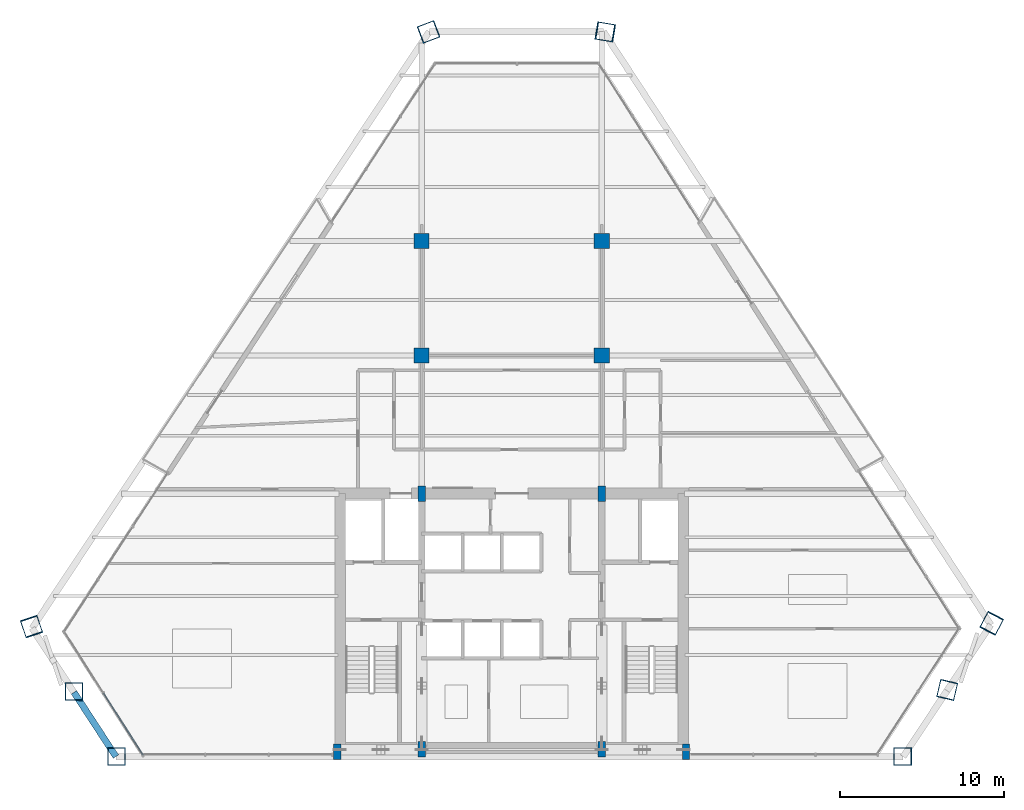
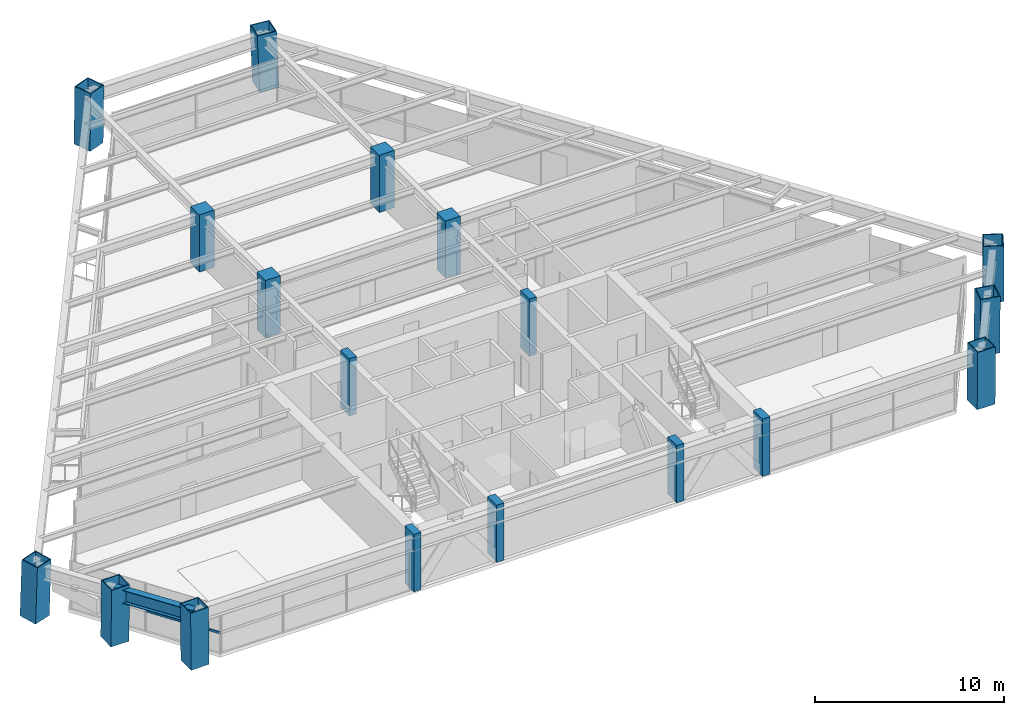
# One storey, part 1 of 15: 18 columns, 1 beam, 1 member, 1 element without a shape of its own.
"""IFC4 building model written with IfcOpenShell, lengths in metres."""

import ifcopenshell
import ifcopenshell.guid

model = None  # the IFC model being written
_history = None  # IfcOwnerHistory: only IFC2X3 demands one
_inside = {}  # id of a spatial element -> (the spatial element, [elements in it])
_under = {}  # id of a project, library or spatial element -> (it, [spatial elements below it])
_declared = {}  # id of a project -> (the project, [libraries it declares])
_typed = {}  # id of a type object -> (the type object, [elements of that type])
_made_of = {}  # id of a material, layer set ... -> (it, [elements and type objects made of it])


def new_model(schema):
    """Start an empty IFC model of exactly this schema.

    Asked for "IFC4X3", IfcOpenShell would pick the latest addendum, in which some entities
    have other attributes; the version numbers below select the first issue.
    IFC2X3 requires an IfcOwnerHistory on every rooted entity: one is made here for all.
    """
    global model, _history
    if schema == "IFC4X3":
        model = ifcopenshell.file(schema_version=(4, 3, 0, 0))
    else:
        model = ifcopenshell.file(schema=schema)
    _inside.clear()
    _under.clear()
    _declared.clear()
    _typed.clear()
    _made_of.clear()
    _history = None
    if model.schema == "IFC2X3":
        org = make("IfcOrganization", Name="unknown")
        user = make(
            "IfcPersonAndOrganization",
            ThePerson=make("IfcPerson", FamilyName="unknown"),
            TheOrganization=org,
        )
        app = make(
            "IfcApplication",
            ApplicationDeveloper=org,
            Version="unknown",
            ApplicationFullName="unknown",
            ApplicationIdentifier="unknown",
        )
        _history = make(
            "IfcOwnerHistory",
            OwningUser=user,
            OwningApplication=app,
            ChangeAction="ADDED",
            CreationDate=0,
        )
    return model


def make(cls, **values):
    """One entity of the class cls with the attributes given. An attribute that is None is left unset."""
    return model.create_entity(
        cls, **{name: value for name, value in values.items() if value is not None}
    )


def rooted(cls, **values):
    """An entity with a GlobalId (a new one), such as an element, a storey or a relation."""
    return make(cls, GlobalId=ifcopenshell.guid.new(), OwnerHistory=_history, **values)


def si_unit(unit_type, name, prefix=None):
    """IfcSIUnit, for example si_unit("LENGTHUNIT", "METRE", prefix="MILLI")."""
    return make("IfcSIUnit", UnitType=unit_type, Prefix=prefix, Name=name)


def assignment(units):
    """IfcUnitAssignment: the units of a project."""
    return None if units is None else make("IfcUnitAssignment", Units=units)


def point(xyz):
    """IfcCartesianPoint."""
    return None if xyz is None else make("IfcCartesianPoint", Coordinates=xyz)


def direction(xyz):
    """IfcDirection."""
    return None if xyz is None else make("IfcDirection", DirectionRatios=xyz)


def frame(location, z_axis=None, x_axis=None):
    """IfcAxis2Placement3D, a coordinate frame: its origin and axes. An axis left out is left unset."""
    return make(
        "IfcAxis2Placement3D",
        Location=point(location),
        Axis=direction(z_axis),
        RefDirection=direction(x_axis),
    )


def frame_2d(location, x_axis=None):
    """IfcAxis2Placement2D, a coordinate frame in the plane: its origin and x axis."""
    return make(
        "IfcAxis2Placement2D", Location=point(location), RefDirection=direction(x_axis)
    )


def origin():
    """The frame at (0, 0, 0) with its axes left unset."""
    return frame((0.0, 0.0, 0.0))


def origin_2d():
    """The frame at (0, 0) in the plane with its x axis left unset."""
    return frame_2d((0.0, 0.0))


def place(relative_to, where):
    """IfcLocalPlacement: puts the frame where relative to a parent placement (None: the world)."""
    return make(
        "IfcLocalPlacement", PlacementRelTo=relative_to, RelativePlacement=where
    )


def context(
    kind, dimensions, precision=None, world=None, true_north=None, identifier=None
):
    """IfcGeometricRepresentationContext, for example the 3D "Model" context."""
    return make(
        "IfcGeometricRepresentationContext",
        ContextIdentifier=identifier,
        ContextType=kind,
        CoordinateSpaceDimension=dimensions,
        Precision=precision,
        WorldCoordinateSystem=world,
        TrueNorth=true_north,
    )


def subcontext(parent, identifier, kind, view, scale=None):
    """IfcGeometricRepresentationSubContext, for example "Body" below "Model"."""
    return make(
        "IfcGeometricRepresentationSubContext",
        ContextIdentifier=identifier,
        ContextType=kind,
        ParentContext=parent,
        TargetScale=scale,
        TargetView=view,
    )


def project(units=None, contexts=None):
    """IfcProject with its units and contexts."""
    return rooted(
        "IfcProject",
        Name="project",
        RepresentationContexts=contexts,
        UnitsInContext=assignment(units),
    )


def spatial(cls, under=None, at=None, **own):
    """A site, building, storey or space (cls), placed at a placement, below another one or the project."""
    s = rooted(cls, ObjectPlacement=at, **own)
    if under is not None:
        _under.setdefault(under.id(), (under, []))[1].append(s)
    return s


def profile(cls, at=None, kind="AREA", **sizes):
    """A parametric profile (cls). Its sizes go by their IFC names, for example OverallWidth=200.0."""
    return make(cls, ProfileType=kind, Position=at, **sizes)


def rectangle(**sizes):
    """IfcRectangleProfileDef."""
    return profile("IfcRectangleProfileDef", **sizes)


def hollow_rectangle(**sizes):
    """IfcRectangleHollowProfileDef."""
    return profile("IfcRectangleHollowProfileDef", **sizes)


def i_section(**sizes):
    """IfcIShapeProfileDef."""
    return profile("IfcIShapeProfileDef", **sizes)


def extrude(swept, where, along, depth):
    """IfcExtrudedAreaSolid: the profile swept, set in the frame where, extruded along a direction by depth."""
    return make(
        "IfcExtrudedAreaSolid",
        SweptArea=swept,
        Position=where,
        ExtrudedDirection=direction(along),
        Depth=depth,
    )


def shape(context_of_items, identifier, shape_type, items):
    """IfcShapeRepresentation: the items that make up one representation, for example the "Body"."""
    return make(
        "IfcShapeRepresentation",
        ContextOfItems=context_of_items,
        RepresentationIdentifier=identifier,
        RepresentationType=shape_type,
        Items=items,
    )


def source(mapping_origin, context_of_items, identifier, shape_type, items):
    """IfcRepresentationMap: a shape defined once, which mapped items show again and again."""
    return make(
        "IfcRepresentationMap",
        MappingOrigin=mapping_origin,
        MappedRepresentation=shape(context_of_items, identifier, shape_type, items),
    )


def transform(
    local_origin,
    x_axis=None,
    y_axis=None,
    z_axis=None,
    scale=None,
    scale2=None,
    scale3=None,
    uniform=True,
):
    """IfcCartesianTransformationOperator3D, or its non-uniform kind. x_axis, y_axis, z_axis: its Axis1, 2, 3."""
    if uniform:
        return make(
            "IfcCartesianTransformationOperator3D",
            Axis1=direction(x_axis),
            Axis2=direction(y_axis),
            LocalOrigin=point(local_origin),
            Scale=scale,
            Axis3=direction(z_axis),
        )
    return make(
        "IfcCartesianTransformationOperator3DnonUniform",
        Axis1=direction(x_axis),
        Axis2=direction(y_axis),
        LocalOrigin=point(local_origin),
        Scale=scale,
        Axis3=direction(z_axis),
        Scale2=scale2,
        Scale3=scale3,
    )


def mapped(mapping_source, mapping_target):
    """IfcMappedItem: shows the shape of a source again, moved by a transform."""
    return make(
        "IfcMappedItem", MappingSource=mapping_source, MappingTarget=mapping_target
    )


def material(Name=None, Category=None):
    """IfcMaterial."""
    return make("IfcMaterial", Name=Name, Category=Category)


def material_profile(
    of_material, cross_section, Name=None, Category=None, Priority=None
):
    """IfcMaterialProfile: a cross section and its material."""
    return make(
        "IfcMaterialProfile",
        Name=Name,
        Material=of_material,
        Profile=cross_section,
        Priority=Priority,
        Category=Category,
    )


def profile_set(profiles, Name=None, composite=None):
    """IfcMaterialProfileSet."""
    return make(
        "IfcMaterialProfileSet",
        Name=Name,
        MaterialProfiles=profiles,
        CompositeProfile=composite,
    )


def made_of(thing, what):
    """Note that an element or type object is made of a material, layer set ...; save() writes the relation."""
    if what is not None:
        _made_of.setdefault(what.id(), (what, []))[1].append(thing)
    return thing


def type_object(cls, material=None, **own):
    """A type object (cls), such as IfcWallType, which elements share."""
    return made_of(rooted(cls, **own), material)


def element(
    cls,
    number,
    at=None,
    inside=None,
    cuts=None,
    type_object=None,
    material=None,
    context=None,
    identifier="Body",
    shape_type=None,
    held_by="IfcProductDefinitionShape",
    body=None,
    shapes=None,
    **own,
):
    """One element of the class cls, such as IfcWall. Its Tag is "e" and its number.

    at: its placement. inside: the storey or other place that contains it. cuts: it is an
    opening in that element (IfcRelVoidsElement). A single representation is given by context,
    identifier, shape_type and body (its items); several are given by shapes. held_by: the class
    of the entity that holds the representations. save() writes the other relations.
    """
    e = rooted(cls, Tag="e%d" % number, ObjectPlacement=at, **own)
    if body is not None:
        shapes = [shape(context, identifier, shape_type, body)]
    if shapes is not None:
        e.Representation = make(held_by, Representations=shapes)
    if inside is not None:
        _inside.setdefault(inside.id(), (inside, []))[1].append(e)
    if cuts is not None:
        rooted(
            "IfcRelVoidsElement", RelatingBuildingElement=cuts, RelatedOpeningElement=e
        )
    if type_object is not None:
        _typed.setdefault(type_object.id(), (type_object, []))[1].append(e)
    return made_of(e, material)


def aggregate(whole, parts):
    """IfcRelAggregates: a whole, such as a stair, and the parts it consists of."""
    return rooted("IfcRelAggregates", RelatingObject=whole, RelatedObjects=parts)


def save(model, path):
    """Write the relations noted so far, then the file.

    IfcRelAggregates (storeys below a building ...), IfcRelContainedInSpatialStructure (elements
    in a storey), IfcRelDefinesByType, IfcRelAssociatesMaterial and IfcRelDeclares: one each for
    every whole, place, type object, material and project.
    """
    for whole, parts in _under.values():
        aggregate(whole, parts)
    for where, things in _inside.values():
        rooted(
            "IfcRelContainedInSpatialStructure",
            RelatedElements=things,
            RelatingStructure=where,
        )
    for kind, things in _typed.values():
        rooted("IfcRelDefinesByType", RelatedObjects=things, RelatingType=kind)
    for what, things in _made_of.values():
        rooted("IfcRelAssociatesMaterial", RelatedObjects=things, RelatingMaterial=what)
    for by, libraries in _declared.values():
        rooted("IfcRelDeclares", RelatingContext=by, RelatedDefinitions=libraries)
    model.write(path)


model = new_model("IFC4")

# Units and contexts
model_context = context("Model", 3, precision=1e-05, world=origin(), true_north=direction((0.0, 1.0)))
body_context = subcontext(model_context, "Body", "Model", "MODEL_VIEW")
ifc_project = project(units=[si_unit("LENGTHUNIT", "METRE"), si_unit("AREAUNIT", "SQUARE_METRE"), si_unit("VOLUMEUNIT", "CUBIC_METRE"), si_unit("PLANEANGLEUNIT", "RADIAN"), si_unit("MASSUNIT", "GRAM", prefix="KILO")], contexts=[model_context])

# Site, building, storey
site_placement = place(None, origin())
site = spatial("IfcSite", under=ifc_project, at=site_placement, CompositionType="ELEMENT")
building_placement = place(site_placement, origin())
building = spatial("IfcBuilding", under=site, at=building_placement, Name="Varnakhor Terracotta Tower", CompositionType="ELEMENT")
storey_placement = place(building_placement, frame((0.0, 0.0, 136.699951171875)))
storey = spatial("IfcBuildingStorey", under=building, at=storey_placement, Name="L34", CompositionType="ELEMENT", Elevation=136.699951171875)

# Columns
ifc_material_1 = material(Name="Concrete C50/60", Category="concrete")
ifc_material_profile_1 = material_profile(ifc_material_1, rectangle(XDim=0.449951171875, YDim=0.949951171875, at=origin_2d()), Name="RC PILASTER 950x450")
ifc_profile_set_1 = profile_set([ifc_material_profile_1], Name="Concrete C50/60")
column_type_1 = type_object("IfcColumnType", Name="COL-PIL-950x450", PredefinedType="PILASTER", material=ifc_profile_set_1)
shared_shape_1 = source(origin(), body_context, "Body", "SweptSolid", [
    extrude(rectangle(XDim=0.449951171875, YDim=0.949951171875, at=origin_2d()), origin(), (0.0, 0.0, 1.0), 3.699951171875),
])
for number, where, z_axis, x_axis, name in (
    (1, (-10.64990234375, 0.300048828125, 0.0), (0.0, 0.0, 1.0), (1.0, 0.0, 0.0), "L34 Core Pilaster CP1"),
    (2, (-5.5, 0.449951171875, 0.0), (0.0, 0.0, 1.0), (1.0, 0.0, 0.0), "L34 Core Pilaster CP2"),
    (3, (5.5, 0.449951171875, 0.0), (0.0, 0.0, 1.0), (1.0, 0.0, 0.0), "L34 Core Pilaster CP3"),
    (4, (10.64990234375, 0.300048828125, 0.0), (0.0, 0.0, 1.0), (1.0, 0.0, 0.0), "L34 Core Pilaster CP4"),
    (5, (-5.5, 16.050048828125, 0.0), (0.0, 0.0, 1.0), (1.0, 0.0, 0.0), "L34 Core Pilaster CP5"),
    (6, (5.5, 16.050048828125, 0.0), (0.0, 0.0, 1.0), (1.0, 0.0, 0.0), "L34 Core Pilaster CP6"),
):
    element("IfcColumn", number, at=place(storey_placement, frame(where, z_axis=z_axis, x_axis=x_axis)), inside=storey, type_object=column_type_1, Name=name, PredefinedType="PILASTER", context=body_context, shape_type="MappedRepresentation", body=[
        mapped(shared_shape_1, transform((0.0, 0.0, 0.0), scale=1.0)),
    ])
ifc_material_2 = material(Name="Steel S460", Category="steel")
ifc_material_profile_2 = material_profile(ifc_material_2, hollow_rectangle(XDim=1.10009765625, YDim=1.10009765625, WallThickness=0.054931640625, at=origin_2d()), Name="BOX 1100x1100x55")
ifc_profile_set_2 = profile_set([ifc_material_profile_2], Name="Steel S460")
column_type_2 = type_object("IfcColumnType", Name="COL-MEGA-1100", PredefinedType="COLUMN", material=ifc_profile_set_2)
shared_shape_2 = source(origin(), body_context, "Body", "SweptSolid", [
    extrude(hollow_rectangle(XDim=1.10009765625, YDim=1.10009765625, WallThickness=0.054931640625, at=origin_2d()), origin(), (0.0, 0.0, 1.0), 3.69140625),
])
for number, where, z_axis, x_axis, name in (
    (7, (-24.14013671875, 0.0, 0.00439453125), (-0.011111160078, 0.0, 0.999938269156), (0.0, -1.0, 0.0), "L34 Perimeter Mega-Column M1"),
    (8, (23.879638671875, 0.0, 0.00439453125), (0.008994940015, 0.0, 0.999959544709), (0.0, 1.0, 0.0), "L34 Perimeter Mega-Column M2"),
):
    element("IfcColumn", number, at=place(storey_placement, frame(where, z_axis=z_axis, x_axis=x_axis)), inside=storey, type_object=column_type_2, Name=name, PredefinedType="COLUMN", context=body_context, shape_type="MappedRepresentation", body=[
        mapped(shared_shape_2, transform((0.0, 0.0, 0.0), scale=1.0)),
    ])
shared_shape_3 = source(origin(), body_context, "Body", "SweptSolid", [
    extrude(hollow_rectangle(XDim=1.10009765625, YDim=1.10009765625, WallThickness=0.054931640625, at=origin_2d()), origin(), (0.0, 0.0, 1.0), 3.691650390625),
])
for number, where, z_axis, x_axis, name in (
    (9, (26.60498046875, 4.079345703125, 0.00439453125), (-0.003571221589, -0.015343026087, 0.999875911264), (0.973964929642, -0.226698733624, 0.0), "L34 Perimeter Mega-Column M3"),
    (10, (-5.089599609375, 44.266357421875, 0.00439453125), (0.015739552992, 0.005951931804, 0.999858410466), (-0.353706259666, 0.935356553338, 0.0), "L34 Perimeter Mega-Column M6"),
    (11, (-26.74169921875, 3.98095703125, 0.00439453125), (-6.6133258e-05, -0.016202648187, 0.999868726293), (0.999991670242, -0.004081598654, 0.0), "L34 Perimeter Mega-Column M8"),
):
    element("IfcColumn", number, at=place(storey_placement, frame(where, z_axis=z_axis, x_axis=x_axis)), inside=storey, type_object=column_type_2, Name=name, PredefinedType="COLUMN", context=body_context, shape_type="MappedRepresentation", body=[
        mapped(shared_shape_3, transform((0.0, 0.0, 0.0), scale=1.0)),
    ])
shared_shape_4 = source(origin(), body_context, "Body", "SweptSolid", [
    extrude(hollow_rectangle(XDim=1.10009765625, YDim=1.10009765625, WallThickness=0.054931640625, at=origin_2d()), origin(), (0.0, 0.0, 1.0), 3.693359375),
])
for number, where, z_axis, x_axis, name in (
    (12, (29.330322265625, 8.158935546875, 0.00439453125), (-0.016128907586, -0.030737467326, 0.999397351629), (0.885495850188, -0.46464728483, 0.0), "L34 Perimeter Mega-Column M4"),
    (13, (-29.343017578125, 7.9619140625, 0.00439453125), (0.010907044269, -0.032390616314, 0.999415771519), (0.947711809172, 0.319127445946, 0.0), "L34 Perimeter Mega-Column M7"),
):
    element("IfcColumn", number, at=place(storey_placement, frame(where, z_axis=z_axis, x_axis=x_axis)), inside=storey, type_object=column_type_2, Name=name, PredefinedType="COLUMN", context=body_context, shape_type="MappedRepresentation", body=[
        mapped(shared_shape_4, transform((0.0, 0.0, 0.0), scale=1.0)),
    ])
ifc_material_profile_3 = material_profile(ifc_material_1, rectangle(XDim=0.919921875, YDim=0.919921875, at=origin_2d()), Name="RC 920x920")
ifc_profile_set_3 = profile_set([ifc_material_profile_3], Name="Concrete C50/60")
column_type_3 = type_object("IfcColumnType", Name="COL-RC-920", PredefinedType="COLUMN", material=ifc_profile_set_3)
shared_shape_5 = source(origin(), body_context, "Body", "SweptSolid", [
    extrude(rectangle(XDim=0.919921875, YDim=0.919921875, at=origin_2d()), origin(), (0.0, 0.0, 1.0), 3.699951171875),
])
for number, where, z_axis, x_axis, name in (
    (14, (-5.5, 24.5, 0.0), (0.0, 0.0, 1.0), (1.0, 0.0, 0.0), "L34 Interior Tower Column IC1"),
    (15, (5.5, 24.5, 0.0), (0.0, 0.0, 1.0), (1.0, 0.0, 0.0), "L34 Interior Tower Column IC2"),
    (16, (-5.5, 31.5, 0.0), (0.0, 0.0, 1.0), (1.0, 0.0, 0.0), "L34 Interior Tower Column IC3"),
    (17, (5.5, 31.5, 0.0), (0.0, 0.0, 1.0), (1.0, 0.0, 0.0), "L34 Interior Tower Column IC4"),
):
    element("IfcColumn", number, at=place(storey_placement, frame(where, z_axis=z_axis, x_axis=x_axis)), inside=storey, type_object=column_type_3, Name=name, PredefinedType="COLUMN", context=body_context, shape_type="MappedRepresentation", body=[
        mapped(shared_shape_5, transform((0.0, 0.0, 0.0), scale=1.0)),
    ])
shared_shape_6 = source(origin(), body_context, "Body", "SweptSolid", [
    extrude(hollow_rectangle(XDim=1.10009765625, YDim=1.10009765625, WallThickness=0.054931640625, at=origin_2d()), origin(), (0.0, 0.0, 1.0), 3.693603515625),
])
column_placement = place(storey_placement, frame((5.735107421875, 44.266357421875, 0.00439453125), z_axis=(-0.036353377245, 0.005948734458, 0.999321291938), x_axis=(-0.161488568111, -0.986874582898, 0.0)))
element("IfcColumn", 18, at=column_placement, inside=storey, type_object=column_type_2, Name="L34 Perimeter Mega-Column M5", PredefinedType="COLUMN", context=body_context, shape_type="MappedRepresentation", body=[
    mapped(shared_shape_6, transform((0.0, 0.0, 0.0), scale=1.0)),
])

# Beam
ifc_material_3 = material(Name="Steel S355", Category="steel")
ifc_material_profile_4 = material_profile(ifc_material_3, i_section(OverallWidth=0.39990234375, OverallDepth=0.85498046875, WebThickness=0.01806640625, FlangeThickness=0.029052734375, FilletRadius=0.01806640625, at=origin_2d()), Name="W33X201")
ifc_profile_set_4 = profile_set([ifc_material_profile_4], Name="Steel S355")
beam_type = type_object("IfcBeamType", Name="BM-W33X201", PredefinedType="BEAM", material=ifc_profile_set_4)
shared_shape_7 = source(origin(), body_context, "Body", "SweptSolid", [
    extrude(i_section(OverallWidth=0.39990234375, OverallDepth=0.85498046875, WebThickness=0.01806640625, FlangeThickness=0.029052734375, FilletRadius=0.01806640625, at=origin_2d()), origin(), (0.0, 0.0, 1.0), 4.683349609375),
])
beam_placement = place(storey_placement, frame((-26.741943359375, 3.921142578125, 3.04248046875), z_axis=(0.546795613184, -0.837266121017, 0.0), x_axis=(0.837266121017, 0.546795613184, 0.0)))
element("IfcBeam", 19, at=beam_placement, inside=storey, type_object=beam_type, Name="L34 Perimeter Spandrel 8", PredefinedType="BEAM", context=body_context, shape_type="MappedRepresentation", body=[
    mapped(shared_shape_7, transform((0.0, 0.0, 0.0), scale=1.0)),
])

# Curtain wall, member
ifc_material_4 = material(Name="Anodised Aluminium Curtain Wall System", Category="aluminium")
curtain_wall_type = type_object("IfcCurtainWallType", Name="CW-SYS-MID-OFFICE", PredefinedType="NOTDEFINED", material=ifc_material_4)
curtain_wall_placement = place(storey_placement, origin())
curtain_wall = element("IfcCurtainWall", 20, at=curtain_wall_placement, inside=storey, type_object=curtain_wall_type, Name="L34 Facet Curtain Wall 6", PredefinedType="NOTDEFINED")
ifc_material_5 = material(Name="Anodised Aluminium 6063-T6", Category="aluminium")
ifc_material_profile_5 = material_profile(ifc_material_5, rectangle(XDim=0.070068359375, YDim=0.155029296875, at=origin_2d()), Name="ALU TRANSOM 70x155")
ifc_profile_set_5 = profile_set([ifc_material_profile_5], Name="Anodised Aluminium 6063-T6")
member_type = type_object("IfcMemberType", Name="CWT-03", PredefinedType="USERDEFINED", material=ifc_profile_set_5)
shared_shape_8 = source(origin(), body_context, "Body", "SweptSolid", [
    extrude(rectangle(XDim=0.070068359375, YDim=0.155029296875, at=origin_2d()), origin(), (0.0, 0.0, 1.0), 4.498046875),
])
member_placement = place(storey_placement, frame((-22.52294921875, 0.08984375, 1.281005859375), z_axis=(-0.537676007734, 0.843151534842, 0.0), x_axis=(-0.843151534842, -0.537676007734, 0.0)))
member = element("IfcMember", 21, at=member_placement, type_object=member_type, Name="L34 Facet Curtain Wall 6 Transom 1", ObjectType="TRANSOM", PredefinedType="USERDEFINED", context=body_context, shape_type="MappedRepresentation", body=[
    mapped(shared_shape_8, transform((0.0, 0.0, 0.0), scale=1.0)),
])
aggregate(curtain_wall, [member])

save(model, "model.ifc")
